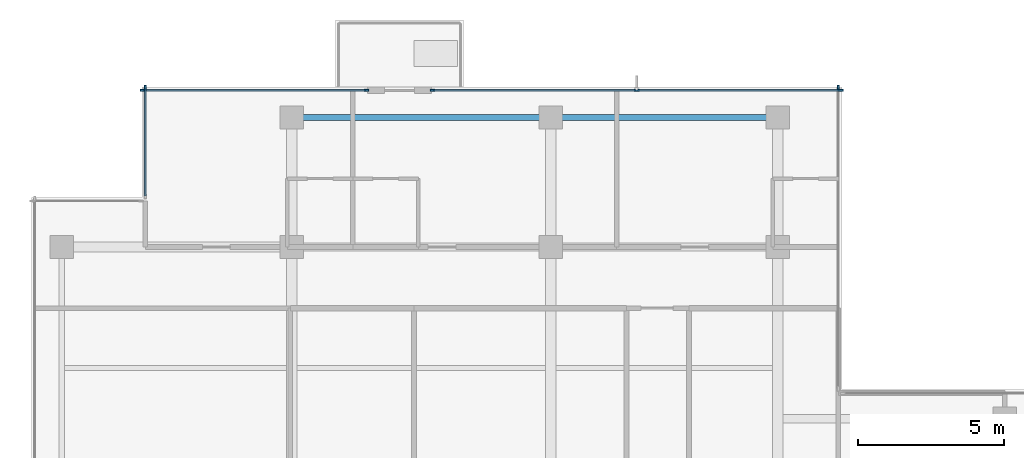
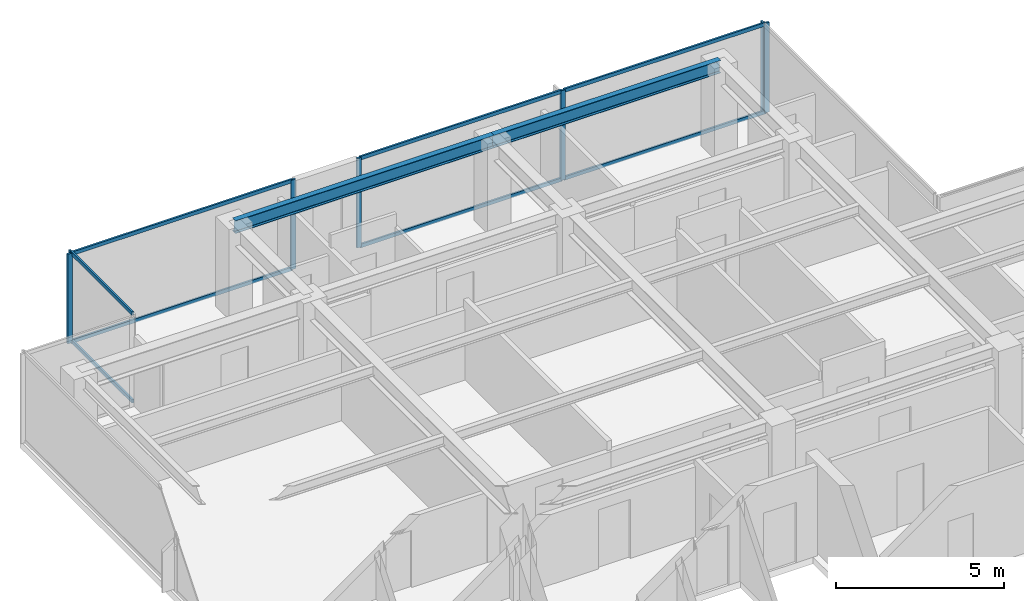
# One storey, part 4 of 11: 15 members, 2 beams, 4 elements without a shape of their own.
"""IFC4 building model written with IfcOpenShell, lengths in metres."""

from ifc_helpers import new_model, si_unit, direction, frame, origin, origin_2d, place, context, subcontext, project, spatial, rectangle, i_section, extrude, material, layer, layer_set, material_profile, profile_set, type_object, element, aggregate, save


model = new_model("IFC4")

# Units and contexts
model_context = context("Model", 3, precision=1e-05, world=origin(), true_north=direction((0.0, 1.0)))
body_context = subcontext(model_context, "Body", "Model", "MODEL_VIEW")
ifc_project = project(units=[si_unit("LENGTHUNIT", "METRE"), si_unit("AREAUNIT", "SQUARE_METRE"), si_unit("VOLUMEUNIT", "CUBIC_METRE"), si_unit("PLANEANGLEUNIT", "RADIAN"), si_unit("MASSUNIT", "GRAM", prefix="KILO")], contexts=[model_context])

# Site, building, storey
site_placement = place(None, origin())
site = spatial("IfcSite", under=ifc_project, at=site_placement, CompositionType="ELEMENT")
building_placement = place(site_placement, origin())
building = spatial("IfcBuilding", under=site, at=building_placement, Name="Qalmaran Belvedere Hotel", CompositionType="ELEMENT")
storey_placement = place(building_placement, frame((0.0, 0.0, 249.39990234375)))
storey = spatial("IfcBuildingStorey", under=building, at=storey_placement, Name="L64", CompositionType="ELEMENT", Elevation=249.39990234375)

# Beams
ifc_material_1 = material(Name="Steel S355JR", Category="steel")
ifc_material_profile_1 = material_profile(ifc_material_1, i_section(OverallWidth=0.19189453125, OverallDepth=0.462890625, WebThickness=0.010498046875, FlangeThickness=0.017578125, FilletRadius=0.01611328125, at=origin_2d()), Name="W460X89")
ifc_profile_set_1 = profile_set([ifc_material_profile_1], Name="Steel S355JR")
beam_type = type_object("IfcBeamType", Name="BM-SP2-W460X89", PredefinedType="SPANDREL", material=ifc_profile_set_1)
beam_1_placement = place(storey_placement, frame((20.300048828125, 37.449951171875, 3.028564453125), z_axis=(1.0, 0.0, 0.0), x_axis=(0.0, 1.0, 0.0)))
element("IfcBeam", 1, at=beam_1_placement, inside=storey, type_object=beam_type, Name="L64 Perimeter Spandrel 04", PredefinedType="SPANDREL", context=body_context, shape_type="SweptSolid", body=[
    extrude(i_section(OverallWidth=0.19189453125, OverallDepth=0.462890625, WebThickness=0.010498046875, FlangeThickness=0.017578125, FilletRadius=0.01611328125, at=origin_2d()), origin(), (0.0, 0.0, 1.0), 8.89990234375),
])
beam_2_placement = place(storey_placement, frame((29.199951171875, 37.449951171875, 3.028564453125), z_axis=(1.0, 0.0, 0.0), x_axis=(0.0, 1.0, 0.0)))
element("IfcBeam", 2, at=beam_2_placement, inside=storey, type_object=beam_type, Name="L64 Perimeter Spandrel 05", PredefinedType="SPANDREL", context=body_context, shape_type="SweptSolid", body=[
    extrude(i_section(OverallWidth=0.19189453125, OverallDepth=0.462890625, WebThickness=0.010498046875, FlangeThickness=0.017578125, FilletRadius=0.01611328125, at=origin_2d()), origin(), (0.0, 0.0, 1.0), 7.800048828125),
])

# Curtain wall, member
ifc_material_2 = material(Name="Anodised Bronze Aluminium", Category="aluminium")
ifc_layer = layer(ifc_material_2, 0.18505859375, Name="Anodised Bronze Aluminium")
ifc_layer_set = layer_set([ifc_layer], Name="Anodised Bronze Aluminium")
curtain_wall_type = type_object("IfcCurtainWallType", Name="CW6-TOWER-SKY", PredefinedType="NOTDEFINED", material=ifc_layer_set)
curtain_wall_1_placement = place(storey_placement, origin())
curtain_wall_1 = element("IfcCurtainWall", 3, at=curtain_wall_1_placement, inside=storey, type_object=curtain_wall_type, Name="L64 Curtain Wall CW6", PredefinedType="NOTDEFINED")
ifc_material_profile_2 = material_profile(ifc_material_2, rectangle(XDim=0.06494140625, YDim=0.1650390625, at=origin_2d()), Name="CWM65X165")
ifc_profile_set_2 = profile_set([ifc_material_profile_2], Name="Anodised Bronze Aluminium")
member_type_1 = type_object("IfcMemberType", Name="CWM-65X165", PredefinedType="MULLION", material=ifc_profile_set_2)
member_1_placement = place(storey_placement, frame((39.080078125, 38.467529296875, 0.0), z_axis=(0.0, 0.0, 1.0), x_axis=(-1.0, 0.0, 0.0)))
member_1 = element("IfcMember", 4, at=member_1_placement, type_object=member_type_1, Name="CW6 mullion 2", PredefinedType="MULLION", context=body_context, shape_type="SweptSolid", body=[
    extrude(rectangle(XDim=0.06494140625, YDim=0.1650390625, at=origin_2d()), origin(), (0.0, 0.0, 1.0), 3.260009765625),
])
aggregate(curtain_wall_1, [member_1])

# Curtain wall, members
curtain_wall_2_placement = place(storey_placement, origin())
curtain_wall_2 = element("IfcCurtainWall", 5, at=curtain_wall_2_placement, inside=storey, type_object=curtain_wall_type, Name="L64 Curtain Wall CW6", PredefinedType="NOTDEFINED")
member_2_placement = place(storey_placement, frame((22.867431640625, 38.3798828125, 0.0), z_axis=(0.0, 0.0, 1.0), x_axis=(0.0, -1.0, 0.0)))
member_2 = element("IfcMember", 6, at=member_2_placement, type_object=member_type_1, Name="CW6 mullion 1", PredefinedType="MULLION", context=body_context, shape_type="SweptSolid", body=[
    extrude(rectangle(XDim=0.06494140625, YDim=0.1650390625, at=origin_2d()), origin(), (0.0, 0.0, 1.0), 3.260009765625),
])
member_3_placement = place(storey_placement, frame((15.1826171875, 38.3798828125, 0.0), z_axis=(0.0, 0.0, 1.0), x_axis=(0.0, -1.0, 0.0)))
member_3 = element("IfcMember", 7, at=member_3_placement, type_object=member_type_1, Name="CW6 mullion 2", PredefinedType="MULLION", context=body_context, shape_type="SweptSolid", body=[
    extrude(rectangle(XDim=0.06494140625, YDim=0.1650390625, at=origin_2d()), origin(), (0.0, 0.0, 1.0), 3.260009765625),
])

curtain_wall_3_placement = place(storey_placement, origin())
curtain_wall_3 = element("IfcCurtainWall", 8, at=curtain_wall_3_placement, inside=storey, type_object=curtain_wall_type, Name="L64 Curtain Wall CW6", PredefinedType="NOTDEFINED")
member_4_placement = place(storey_placement, frame((39.16748046875, 38.3798828125, 0.0), z_axis=(0.0, 0.0, 1.0), x_axis=(0.0, -1.0, 0.0)))
member_4 = element("IfcMember", 9, at=member_4_placement, type_object=member_type_1, Name="CW6 mullion 1", PredefinedType="MULLION", context=body_context, shape_type="SweptSolid", body=[
    extrude(rectangle(XDim=0.06494140625, YDim=0.1650390625, at=origin_2d()), origin(), (0.0, 0.0, 1.0), 3.260009765625),
])
member_5_placement = place(storey_placement, frame((32.14990234375, 38.3798828125, 0.0), z_axis=(0.0, 0.0, 1.0), x_axis=(0.0, -1.0, 0.0)))
member_5 = element("IfcMember", 10, at=member_5_placement, type_object=member_type_1, Name="CW6 mullion 2", PredefinedType="MULLION", context=body_context, shape_type="SweptSolid", body=[
    extrude(rectangle(XDim=0.06494140625, YDim=0.1650390625, at=origin_2d()), origin(), (0.0, 0.0, 1.0), 3.260009765625),
])
member_6_placement = place(storey_placement, frame((25.132568359375, 38.3798828125, 0.0), z_axis=(0.0, 0.0, 1.0), x_axis=(0.0, -1.0, 0.0)))
member_6 = element("IfcMember", 11, at=member_6_placement, type_object=member_type_1, Name="CW6 mullion 3", PredefinedType="MULLION", context=body_context, shape_type="SweptSolid", body=[
    extrude(rectangle(XDim=0.06494140625, YDim=0.1650390625, at=origin_2d()), origin(), (0.0, 0.0, 1.0), 3.260009765625),
])

# Curtain wall, member
curtain_wall_4_placement = place(storey_placement, origin())
curtain_wall_4 = element("IfcCurtainWall", 12, at=curtain_wall_4_placement, inside=storey, type_object=curtain_wall_type, Name="L64 Curtain Wall CW6", PredefinedType="NOTDEFINED")
member_7_placement = place(storey_placement, frame((15.27001953125, 38.467529296875, 0.0), z_axis=(0.0, 0.0, 1.0), x_axis=(1.0, 0.0, 0.0)))
member_7 = element("IfcMember", 13, at=member_7_placement, type_object=member_type_1, Name="CW6 mullion 1", PredefinedType="MULLION", context=body_context, shape_type="SweptSolid", body=[
    extrude(rectangle(XDim=0.06494140625, YDim=0.1650390625, at=origin_2d()), origin(), (0.0, 0.0, 1.0), 3.260009765625),
])

# Member
ifc_material_profile_3 = material_profile(ifc_material_2, rectangle(XDim=0.06494140625, YDim=0.1298828125, at=origin_2d()), Name="CWT65X130")
ifc_profile_set_3 = profile_set([ifc_material_profile_3], Name="Anodised Bronze Aluminium")
member_type_2 = type_object("IfcMemberType", Name="CWT-65X130", PredefinedType="USERDEFINED", material=ifc_profile_set_3)
member_8_placement = place(storey_placement, frame((22.8349609375, 38.3798828125, 0.03271484375), z_axis=(-1.0, 0.0, 0.0), x_axis=(0.0, -1.0, 0.0)))
member_8 = element("IfcMember", 14, at=member_8_placement, type_object=member_type_2, Name="CW6 transom 1.1", ObjectType="TRANSOM", PredefinedType="USERDEFINED", context=body_context, shape_type="SweptSolid", body=[
    extrude(rectangle(XDim=0.06494140625, YDim=0.1298828125, at=origin_2d()), origin(), (0.0, 0.0, 1.0), 7.619873046875),
])

member_9_placement = place(storey_placement, frame((22.8349609375, 38.3798828125, 3.2275390625), z_axis=(-1.0, 0.0, 0.0), x_axis=(0.0, -1.0, 0.0)))
member_9 = element("IfcMember", 15, at=member_9_placement, type_object=member_type_2, Name="CW6 transom 1.2", ObjectType="TRANSOM", PredefinedType="USERDEFINED", context=body_context, shape_type="SweptSolid", body=[
    extrude(rectangle(XDim=0.06494140625, YDim=0.1298828125, at=origin_2d()), origin(), (0.0, 0.0, 1.0), 7.619873046875),
])

aggregate(curtain_wall_2, [member_2, member_3, member_8, member_9])

member_10_placement = place(storey_placement, frame((39.135009765625, 38.3798828125, 0.03271484375), z_axis=(-1.0, 0.0, 0.0), x_axis=(0.0, -1.0, 0.0)))
member_10 = element("IfcMember", 16, at=member_10_placement, type_object=member_type_2, Name="CW6 transom 1.1", ObjectType="TRANSOM", PredefinedType="USERDEFINED", context=body_context, shape_type="SweptSolid", body=[
    extrude(rectangle(XDim=0.06494140625, YDim=0.1298828125, at=origin_2d()), origin(), (0.0, 0.0, 1.0), 6.952392578125),
])

member_11_placement = place(storey_placement, frame((39.135009765625, 38.3798828125, 3.2275390625), z_axis=(-1.0, 0.0, 0.0), x_axis=(0.0, -1.0, 0.0)))
member_11 = element("IfcMember", 17, at=member_11_placement, type_object=member_type_2, Name="CW6 transom 1.2", ObjectType="TRANSOM", PredefinedType="USERDEFINED", context=body_context, shape_type="SweptSolid", body=[
    extrude(rectangle(XDim=0.06494140625, YDim=0.1298828125, at=origin_2d()), origin(), (0.0, 0.0, 1.0), 6.952392578125),
])

member_12_placement = place(storey_placement, frame((32.117431640625, 38.3798828125, 0.03271484375), z_axis=(-1.0, 0.0, 0.0), x_axis=(0.0, -1.0, 0.0)))
member_12 = element("IfcMember", 18, at=member_12_placement, type_object=member_type_2, Name="CW6 transom 2.1", ObjectType="TRANSOM", PredefinedType="USERDEFINED", context=body_context, shape_type="SweptSolid", body=[
    extrude(rectangle(XDim=0.06494140625, YDim=0.1298828125, at=origin_2d()), origin(), (0.0, 0.0, 1.0), 6.952392578125),
])

member_13_placement = place(storey_placement, frame((32.117431640625, 38.3798828125, 3.2275390625), z_axis=(-1.0, 0.0, 0.0), x_axis=(0.0, -1.0, 0.0)))
member_13 = element("IfcMember", 19, at=member_13_placement, type_object=member_type_2, Name="CW6 transom 2.2", ObjectType="TRANSOM", PredefinedType="USERDEFINED", context=body_context, shape_type="SweptSolid", body=[
    extrude(rectangle(XDim=0.06494140625, YDim=0.1298828125, at=origin_2d()), origin(), (0.0, 0.0, 1.0), 6.952392578125),
])

aggregate(curtain_wall_3, [member_4, member_5, member_6, member_10, member_11, member_12, member_13])

member_14_placement = place(storey_placement, frame((15.27001953125, 38.43505859375, 0.03271484375), z_axis=(0.0, -1.0, 0.0), x_axis=(1.0, 0.0, 0.0)))
member_14 = element("IfcMember", 20, at=member_14_placement, type_object=member_type_2, Name="CW6 transom 1.1", ObjectType="TRANSOM", PredefinedType="USERDEFINED", context=body_context, shape_type="SweptSolid", body=[
    extrude(rectangle(XDim=0.06494140625, YDim=0.1298828125, at=origin_2d()), origin(), (0.0, 0.0, 1.0), 3.670166015625),
])

member_15_placement = place(storey_placement, frame((15.27001953125, 38.43505859375, 3.2275390625), z_axis=(0.0, -1.0, 0.0), x_axis=(1.0, 0.0, 0.0)))
member_15 = element("IfcMember", 21, at=member_15_placement, type_object=member_type_2, Name="CW6 transom 1.2", ObjectType="TRANSOM", PredefinedType="USERDEFINED", context=body_context, shape_type="SweptSolid", body=[
    extrude(rectangle(XDim=0.06494140625, YDim=0.1298828125, at=origin_2d()), origin(), (0.0, 0.0, 1.0), 3.670166015625),
])

aggregate(curtain_wall_4, [member_7, member_14, member_15])

save(model, "model.ifc")
